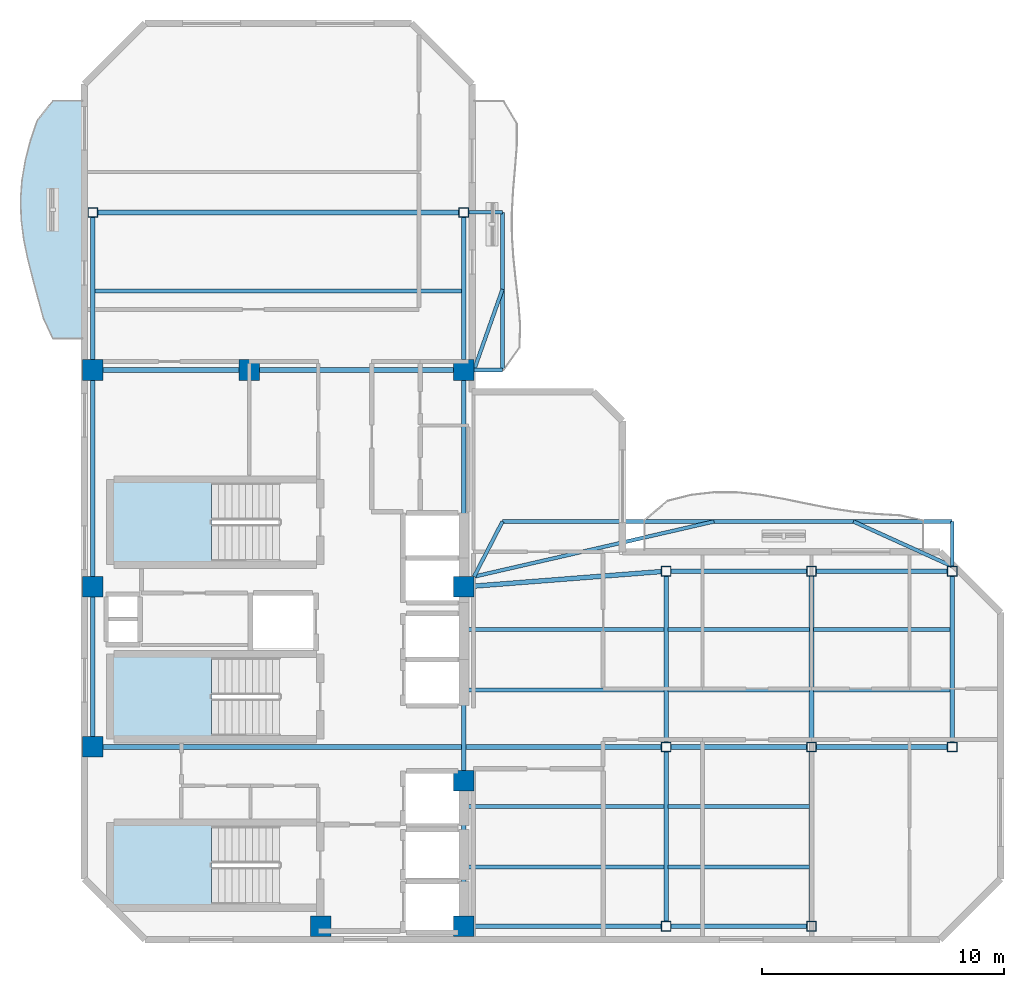
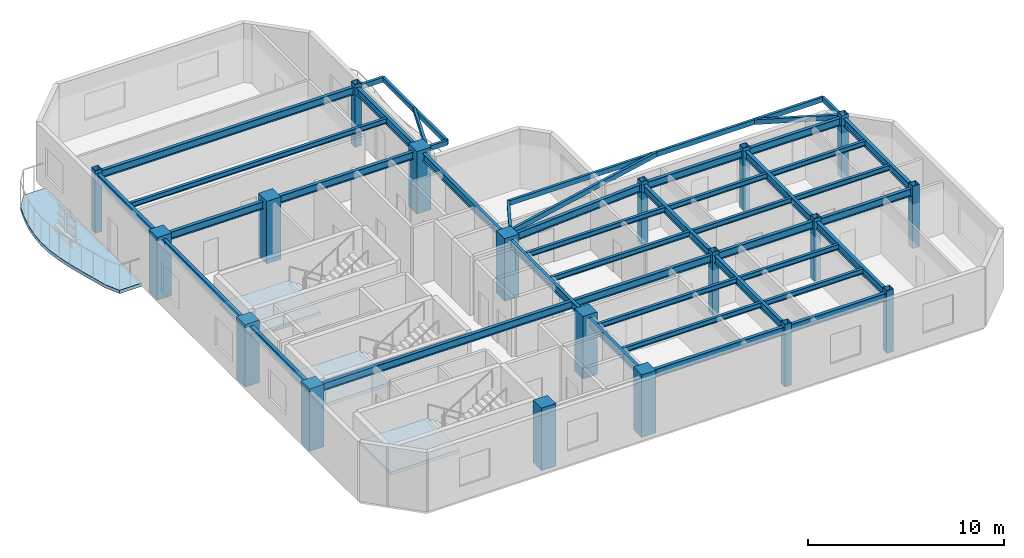
# One storey, part 1 of 8: 43 beams, 19 columns, 4 slabs, 3 elements without a shape of their own.
"""IFC4 building model written with IfcOpenShell, lengths in metres."""

from ifc_helpers import new_model, si_unit, direction, frame, origin, origin_2d, place, context, subcontext, project, spatial, polyline, rectangle, hollow_rectangle, i_section, outline, extrude, material, layer, layer_set, material_profile, profile_set, type_object, element, aggregate, save


model = new_model("IFC4")

# Units and contexts
model_context = context("Model", 3, precision=1e-05, world=origin(), true_north=direction((0.0, 1.0)))
body_context = subcontext(model_context, "Body", "Model", "MODEL_VIEW")
ifc_project = project(units=[si_unit("LENGTHUNIT", "METRE"), si_unit("AREAUNIT", "SQUARE_METRE"), si_unit("VOLUMEUNIT", "CUBIC_METRE"), si_unit("PLANEANGLEUNIT", "RADIAN"), si_unit("MASSUNIT", "GRAM", prefix="KILO")], contexts=[model_context])

# Site, building, storey
site_placement = place(None, origin())
site = spatial("IfcSite", under=ifc_project, at=site_placement, CompositionType="ELEMENT")
building_placement = place(site_placement, origin())
building = spatial("IfcBuilding", under=site, at=building_placement, Name="Mawjaban Terraces University", CompositionType="ELEMENT")
storey_placement = place(building_placement, frame((0.0, 0.0, 271.60009765625)))
storey = spatial("IfcBuildingStorey", under=building, at=storey_placement, Name="L66", CompositionType="ELEMENT", Elevation=271.60009765625)

# Columns
ifc_material_1 = material(Name="Concrete C50/60", Category="concrete")
ifc_material_profile_1 = material_profile(ifc_material_1, rectangle(XDim=0.85009765625, YDim=0.85009765625, at=origin_2d()), Name="RC850X850")
ifc_profile_set_1 = profile_set([ifc_material_profile_1], Name="Concrete C50/60")
column_type_1 = type_object("IfcColumnType", Name="Col_RC850X850", PredefinedType="COLUMN", material=ifc_profile_set_1)
for number, where, z_axis, x_axis, name in (
    (1, (31.75, 0.550048828125, 0.0), (0.0, 0.0, 1.0), (1.0, 0.0, 0.0), "L66 Column CC2"),
    (2, (37.64990234375, 0.550048828125, 0.0), (0.0, 0.0, 1.0), (1.0, 0.0, 0.0), "L66 Column CC3"),
    (3, (22.35009765625, 7.949951171875, 0.0), (0.0, 0.0, 1.0), (1.0, 0.0, 0.0), "L66 Column CC4"),
    (4, (37.64990234375, 6.550048828125, 0.0), (0.0, 0.0, 1.0), (1.0, 0.0, 0.0), "L66 Column CC5"),
    (5, (22.35009765625, 14.550048828125, 0.0), (0.0, 0.0, 1.0), (1.0, 0.0, 0.0), "L66 Column CC6"),
    (6, (37.64990234375, 14.550048828125, 0.0), (0.0, 0.0, 1.0), (1.0, 0.0, 0.0), "L66 Column CC7"),
    (7, (22.35009765625, 23.5, 0.0), (0.0, 0.0, 1.0), (1.0, 0.0, 0.0), "L66 Column CC8"),
    (8, (28.800048828125, 23.5, 0.0), (0.0, 0.0, 1.0), (1.0, 0.0, 0.0), "L66 Column CC9"),
    (9, (37.64990234375, 23.5, 0.0), (0.0, 0.0, 1.0), (1.0, 0.0, 0.0), "L66 Column CC10"),
):
    element("IfcColumn", number, at=place(storey_placement, frame(where, z_axis=z_axis, x_axis=x_axis)), inside=storey, type_object=column_type_1, Name=name, PredefinedType="COLUMN", context=body_context, shape_type="SweptSolid", body=[
        extrude(rectangle(XDim=0.85009765625, YDim=0.85009765625, at=origin_2d()), origin(), (0.0, 0.0, 1.0), 3.89990234375),
    ])
ifc_material_2 = material(Name="Steel EN 10210-1 S355J2H", Category="steel")
ifc_material_profile_2 = material_profile(ifc_material_2, hollow_rectangle(XDim=0.39990234375, YDim=0.39990234375, WallThickness=0.02001953125, at=origin_2d()), Name="SHS400X400X20")
ifc_profile_set_2 = profile_set([ifc_material_profile_2], Name="Steel EN 10210-1 S355J2H")
column_type_2 = type_object("IfcColumnType", Name="Col_SHS400X400X20", PredefinedType="COLUMN", material=ifc_profile_set_2)
for number, where, z_axis, x_axis, name in (
    (10, (46.0, 0.550048828125, 0.0), (0.0, 0.0, 1.0), (1.0, 0.0, 0.0), "L66 Column TE-460-005"),
    (11, (46.0, 7.949951171875, 0.0), (0.0, 0.0, 1.0), (1.0, 0.0, 0.0), "L66 Column TE-460-080"),
    (12, (46.0, 15.199951171875, 0.0), (0.0, 0.0, 1.0), (1.0, 0.0, 0.0), "L66 Column TE-460-152"),
    (13, (52.0, 0.550048828125, 0.0), (0.0, 0.0, 1.0), (1.0, 0.0, 0.0), "L66 Column TE-520-005"),
    (14, (52.0, 7.949951171875, 0.0), (0.0, 0.0, 1.0), (1.0, 0.0, 0.0), "L66 Column TE-520-080"),
    (15, (52.0, 15.199951171875, 0.0), (0.0, 0.0, 1.0), (1.0, 0.0, 0.0), "L66 Column TE-520-152"),
    (16, (57.800048828125, 7.949951171875, 0.0), (0.0, 0.0, 1.0), (1.0, 0.0, 0.0), "L66 Column TE-578-080"),
    (17, (57.800048828125, 15.199951171875, 0.0), (0.0, 0.0, 1.0), (1.0, 0.0, 0.0), "L66 Column TE-578-152"),
    (18, (22.35009765625, 30.0, 0.0), (0.0, 0.0, 1.0), (1.0, 0.0, 0.0), "L66 Column TN-223-300"),
    (19, (37.64990234375, 30.0, 0.0), (0.0, 0.0, 1.0), (1.0, 0.0, 0.0), "L66 Column TN-376-300"),
):
    element("IfcColumn", number, at=place(storey_placement, frame(where, z_axis=z_axis, x_axis=x_axis)), inside=storey, type_object=column_type_2, Name=name, PredefinedType="COLUMN", context=body_context, shape_type="SweptSolid", body=[
        extrude(hollow_rectangle(XDim=0.39990234375, YDim=0.39990234375, WallThickness=0.02001953125, at=origin_2d()), origin(), (0.0, 0.0, 1.0), 3.89990234375),
    ])

# Beams
ifc_material_profile_3 = material_profile(ifc_material_2, hollow_rectangle(XDim=0.14990234375, YDim=0.300048828125, WallThickness=0.012451171875, at=origin_2d()), Name="RHS300X150X12.5")
ifc_profile_set_3 = profile_set([ifc_material_profile_3], Name="Steel EN 10210-1 S355J2H")
beam_type_1 = type_object("IfcBeamType", Name="BalconyCantileverSpandrel_RHS", PredefinedType="SPANDREL", material=ifc_profile_set_3)
beam_1_placement = place(storey_placement, frame((38.074951171875, 14.97509765625, 3.539794921875), z_axis=(0.458922210771, 0.88847645127, 0.0), x_axis=(-0.88847645127, 0.458922210771, 0.0)))
element("IfcBeam", 20, at=beam_1_placement, inside=storey, type_object=beam_type_1, Name="L66 Corner Outrigger BAL-L67-N", PredefinedType="SPANDREL", context=body_context, shape_type="SweptSolid", body=[
    extrude(hollow_rectangle(XDim=0.14990234375, YDim=0.300048828125, WallThickness=0.012451171875, at=origin_2d()), origin(), (0.0, 0.0, 1.0), 2.560546875),
])
beam_2_placement = place(storey_placement, frame((57.800048828125, 15.39990234375, 3.539794921875), z_axis=(0.0, 1.0, 0.0), x_axis=(-1.0, 0.0, 0.0)))
element("IfcBeam", 21, at=beam_2_placement, inside=storey, type_object=beam_type_1, Name="L66 Exterior Outrigger BAL-L67-N.2", PredefinedType="SPANDREL", context=body_context, shape_type="SweptSolid", body=[
    extrude(hollow_rectangle(XDim=0.14990234375, YDim=0.300048828125, WallThickness=0.012451171875, at=origin_2d()), origin(), (0.0, 0.0, 1.0), 1.85009765625),
])
beam_3_placement = place(storey_placement, frame((39.25, 17.25, 3.539794921875), z_axis=(1.0, 0.0, 0.0), x_axis=(0.0, 1.0, 0.0)))
element("IfcBeam", 22, at=beam_3_placement, inside=storey, type_object=beam_type_1, Name="L66 Exterior Edge Spandrel BAL-L67-N", PredefinedType="SPANDREL", context=body_context, shape_type="SweptSolid", body=[
    extrude(hollow_rectangle(XDim=0.14990234375, YDim=0.300048828125, WallThickness=0.012451171875, at=origin_2d()), origin(), (0.0, 0.0, 1.0), 18.550048828125),
])
beam_4_placement = place(storey_placement, frame((38.074951171875, 14.97509765625, 3.539794921875), z_axis=(0.974600999447, 0.223948413426, 0.0), x_axis=(-0.223948413426, 0.974600999447, 0.0)))
element("IfcBeam", 23, at=beam_4_placement, inside=storey, type_object=beam_type_1, Name="L66 Exterior Diagonal Strut BAL-L67-N.1", PredefinedType="SPANDREL", context=body_context, shape_type="SweptSolid", body=[
    extrude(hollow_rectangle(XDim=0.14990234375, YDim=0.300048828125, WallThickness=0.012451171875, at=origin_2d()), origin(), (0.0, 0.0, 1.0), 10.158203125),
])
beam_5_placement = place(storey_placement, frame((57.800048828125, 15.39990234375, 3.539794921875), z_axis=(-0.910547611438, 0.413404217811, 0.0), x_axis=(-0.413404217811, -0.910547611438, 0.0)))
element("IfcBeam", 24, at=beam_5_placement, inside=storey, type_object=beam_type_1, Name="L66 Exterior Diagonal Strut BAL-L67-N.2", PredefinedType="SPANDREL", context=body_context, shape_type="SweptSolid", body=[
    extrude(hollow_rectangle(XDim=0.14990234375, YDim=0.300048828125, WallThickness=0.012451171875, at=origin_2d()), origin(), (0.0, 0.0, 1.0), 4.475341796875),
])
beam_6_placement = place(storey_placement, frame((38.074951171875, 23.5, 3.539794921875), z_axis=(1.0, 0.0, 0.0), x_axis=(0.0, 1.0, 0.0)))
element("IfcBeam", 25, at=beam_6_placement, inside=storey, type_object=beam_type_1, Name="L66 Exterior Outrigger BAL-L67-E.1", PredefinedType="SPANDREL", context=body_context, shape_type="SweptSolid", body=[
    extrude(hollow_rectangle(XDim=0.14990234375, YDim=0.300048828125, WallThickness=0.012451171875, at=origin_2d()), origin(), (0.0, 0.0, 1.0), 1.175048828125),
])
beam_7_placement = place(storey_placement, frame((37.85009765625, 30.0, 3.539794921875), z_axis=(1.0, 0.0, 0.0), x_axis=(0.0, 1.0, 0.0)))
element("IfcBeam", 26, at=beam_7_placement, inside=storey, type_object=beam_type_1, Name="L66 Exterior Outrigger BAL-L67-E.2", PredefinedType="SPANDREL", context=body_context, shape_type="SweptSolid", body=[
    extrude(hollow_rectangle(XDim=0.14990234375, YDim=0.300048828125, WallThickness=0.012451171875, at=origin_2d()), origin(), (0.0, 0.0, 1.0), 1.39990234375),
])
beam_8_placement = place(storey_placement, frame((39.25, 23.5, 3.539794921875), z_axis=(0.0, 1.0, 0.0), x_axis=(-1.0, 0.0, 0.0)))
element("IfcBeam", 27, at=beam_8_placement, inside=storey, type_object=beam_type_1, Name="L66 Exterior Edge Spandrel BAL-L67-E", PredefinedType="SPANDREL", context=body_context, shape_type="SweptSolid", body=[
    extrude(hollow_rectangle(XDim=0.14990234375, YDim=0.300048828125, WallThickness=0.012451171875, at=origin_2d()), origin(), (0.0, 0.0, 1.0), 6.5),
])
beam_9_placement = place(storey_placement, frame((38.074951171875, 23.5, 3.539794921875), z_axis=(0.332751406337, 0.943014581849, 0.0), x_axis=(-0.943014581849, 0.332751406337, 0.0)))
element("IfcBeam", 28, at=beam_9_placement, inside=storey, type_object=beam_type_1, Name="L66 Exterior Diagonal Strut BAL-L67-E.1", PredefinedType="SPANDREL", context=body_context, shape_type="SweptSolid", body=[
    extrude(hollow_rectangle(XDim=0.14990234375, YDim=0.300048828125, WallThickness=0.012451171875, at=origin_2d()), origin(), (0.0, 0.0, 1.0), 3.53125),
])
ifc_material_3 = material(Name="Steel ASTM A572 Grade 50", Category="steel")
ifc_material_profile_4 = material_profile(ifc_material_3, i_section(OverallWidth=0.194091796875, OverallDepth=0.468994140625, WebThickness=0.011474609375, FlangeThickness=0.0205078125, at=origin_2d()), Name="W460X106")
ifc_profile_set_4 = profile_set([ifc_material_profile_4], Name="Steel ASTM A572 Grade 50")
beam_type_2 = type_object("IfcBeamType", Name="Beam_B_W460X106", PredefinedType="BEAM", material=ifc_profile_set_4)
beam_10_placement = place(storey_placement, frame((38.074951171875, 0.550048828125, 3.454833984375), z_axis=(1.0, 0.0, 0.0), x_axis=(0.0, 1.0, 0.0)))
element("IfcBeam", 29, at=beam_10_placement, inside=storey, type_object=beam_type_2, Name="L66 Beam BM-L66-EW-01", PredefinedType="BEAM", context=body_context, shape_type="SweptSolid", body=[
    extrude(i_section(OverallWidth=0.194091796875, OverallDepth=0.468994140625, WebThickness=0.011474609375, FlangeThickness=0.0205078125, at=origin_2d()), origin(), (0.0, 0.0, 1.0), 7.72509765625),
])
beam_11_placement = place(storey_placement, frame((46.199951171875, 0.550048828125, 3.454833984375), z_axis=(1.0, 0.0, 0.0), x_axis=(0.0, 1.0, 0.0)))
element("IfcBeam", 30, at=beam_11_placement, inside=storey, type_object=beam_type_2, Name="L66 Beam BM-L66-EW-02", PredefinedType="BEAM", context=body_context, shape_type="SweptSolid", body=[
    extrude(i_section(OverallWidth=0.194091796875, OverallDepth=0.468994140625, WebThickness=0.011474609375, FlangeThickness=0.0205078125, at=origin_2d()), origin(), (0.0, 0.0, 1.0), 5.60009765625),
])
beam_12_placement = place(storey_placement, frame((22.77490234375, 7.949951171875, 3.454833984375), z_axis=(1.0, 0.0, 0.0), x_axis=(0.0, 1.0, 0.0)))
element("IfcBeam", 31, at=beam_12_placement, inside=storey, type_object=beam_type_2, Name="L66 Beam BM-L66-EW-03", PredefinedType="BEAM", context=body_context, shape_type="SweptSolid", body=[
    extrude(i_section(OverallWidth=0.194091796875, OverallDepth=0.468994140625, WebThickness=0.011474609375, FlangeThickness=0.0205078125, at=origin_2d()), origin(), (0.0, 0.0, 1.0), 23.025146484375),
])
beam_13_placement = place(storey_placement, frame((46.199951171875, 7.949951171875, 3.454833984375), z_axis=(1.0, 0.0, 0.0), x_axis=(0.0, 1.0, 0.0)))
element("IfcBeam", 32, at=beam_13_placement, inside=storey, type_object=beam_type_2, Name="L66 Beam BM-L66-EW-04", PredefinedType="BEAM", context=body_context, shape_type="SweptSolid", body=[
    extrude(i_section(OverallWidth=0.194091796875, OverallDepth=0.468994140625, WebThickness=0.011474609375, FlangeThickness=0.0205078125, at=origin_2d()), origin(), (0.0, 0.0, 1.0), 5.60009765625),
])
beam_14_placement = place(storey_placement, frame((52.199951171875, 7.949951171875, 3.454833984375), z_axis=(1.0, 0.0, 0.0), x_axis=(0.0, 1.0, 0.0)))
element("IfcBeam", 33, at=beam_14_placement, inside=storey, type_object=beam_type_2, Name="L66 Beam BM-L66-EW-05", PredefinedType="BEAM", context=body_context, shape_type="SweptSolid", body=[
    extrude(i_section(OverallWidth=0.194091796875, OverallDepth=0.468994140625, WebThickness=0.011474609375, FlangeThickness=0.0205078125, at=origin_2d()), origin(), (0.0, 0.0, 1.0), 5.400146484375),
])
beam_15_placement = place(storey_placement, frame((46.199951171875, 15.199951171875, 3.454833984375), z_axis=(1.0, 0.0, 0.0), x_axis=(0.0, 1.0, 0.0)))
element("IfcBeam", 34, at=beam_15_placement, inside=storey, type_object=beam_type_2, Name="L66 Beam BM-L66-EW-06", PredefinedType="BEAM", context=body_context, shape_type="SweptSolid", body=[
    extrude(i_section(OverallWidth=0.194091796875, OverallDepth=0.468994140625, WebThickness=0.011474609375, FlangeThickness=0.0205078125, at=origin_2d()), origin(), (0.0, 0.0, 1.0), 5.60009765625),
])
beam_16_placement = place(storey_placement, frame((52.199951171875, 15.199951171875, 3.454833984375), z_axis=(1.0, 0.0, 0.0), x_axis=(0.0, 1.0, 0.0)))
element("IfcBeam", 35, at=beam_16_placement, inside=storey, type_object=beam_type_2, Name="L66 Beam BM-L66-EW-07", PredefinedType="BEAM", context=body_context, shape_type="SweptSolid", body=[
    extrude(i_section(OverallWidth=0.194091796875, OverallDepth=0.468994140625, WebThickness=0.011474609375, FlangeThickness=0.0205078125, at=origin_2d()), origin(), (0.0, 0.0, 1.0), 5.400146484375),
])
beam_17_placement = place(storey_placement, frame((22.77490234375, 23.5, 3.454833984375), z_axis=(1.0, 0.0, 0.0), x_axis=(0.0, 1.0, 0.0)))
element("IfcBeam", 36, at=beam_17_placement, inside=storey, type_object=beam_type_2, Name="L66 Beam BM-L66-EW-08", PredefinedType="BEAM", context=body_context, shape_type="SweptSolid", body=[
    extrude(i_section(OverallWidth=0.194091796875, OverallDepth=0.468994140625, WebThickness=0.011474609375, FlangeThickness=0.0205078125, at=origin_2d()), origin(), (0.0, 0.0, 1.0), 5.60009765625),
])
beam_18_placement = place(storey_placement, frame((29.22509765625, 23.5, 3.454833984375), z_axis=(1.0, 0.0, 0.0), x_axis=(0.0, 1.0, 0.0)))
element("IfcBeam", 37, at=beam_18_placement, inside=storey, type_object=beam_type_2, Name="L66 Beam BM-L66-EW-09", PredefinedType="BEAM", context=body_context, shape_type="SweptSolid", body=[
    extrude(i_section(OverallWidth=0.194091796875, OverallDepth=0.468994140625, WebThickness=0.011474609375, FlangeThickness=0.0205078125, at=origin_2d()), origin(), (0.0, 0.0, 1.0), 8.0),
])
beam_19_placement = place(storey_placement, frame((22.550048828125, 30.0, 3.454833984375), z_axis=(1.0, 0.0, 0.0), x_axis=(0.0, 1.0, 0.0)))
element("IfcBeam", 38, at=beam_19_placement, inside=storey, type_object=beam_type_2, Name="L66 Beam BM-L66-EW-10", PredefinedType="BEAM", context=body_context, shape_type="SweptSolid", body=[
    extrude(i_section(OverallWidth=0.194091796875, OverallDepth=0.468994140625, WebThickness=0.011474609375, FlangeThickness=0.0205078125, at=origin_2d()), origin(), (0.0, 0.0, 1.0), 14.89990234375),
])
beam_20_placement = place(storey_placement, frame((22.35009765625, 8.375, 3.454833984375), z_axis=(0.0, 1.0, 0.0), x_axis=(-1.0, 0.0, 0.0)))
element("IfcBeam", 39, at=beam_20_placement, inside=storey, type_object=beam_type_2, Name="L66 Beam BM-L66-NS-01", PredefinedType="BEAM", context=body_context, shape_type="SweptSolid", body=[
    extrude(i_section(OverallWidth=0.194091796875, OverallDepth=0.468994140625, WebThickness=0.011474609375, FlangeThickness=0.0205078125, at=origin_2d()), origin(), (0.0, 0.0, 1.0), 5.75),
])
beam_21_placement = place(storey_placement, frame((22.35009765625, 14.97509765625, 3.454833984375), z_axis=(0.0, 1.0, 0.0), x_axis=(-1.0, 0.0, 0.0)))
element("IfcBeam", 40, at=beam_21_placement, inside=storey, type_object=beam_type_2, Name="L66 Beam BM-L66-NS-02", PredefinedType="BEAM", context=body_context, shape_type="SweptSolid", body=[
    extrude(i_section(OverallWidth=0.194091796875, OverallDepth=0.468994140625, WebThickness=0.011474609375, FlangeThickness=0.0205078125, at=origin_2d()), origin(), (0.0, 0.0, 1.0), 8.099853515625),
])
beam_22_placement = place(storey_placement, frame((22.35009765625, 23.925048828125, 3.454833984375), z_axis=(0.0, 1.0, 0.0), x_axis=(-1.0, 0.0, 0.0)))
element("IfcBeam", 41, at=beam_22_placement, inside=storey, type_object=beam_type_2, Name="L66 Beam BM-L66-NS-03", PredefinedType="BEAM", context=body_context, shape_type="SweptSolid", body=[
    extrude(i_section(OverallWidth=0.194091796875, OverallDepth=0.468994140625, WebThickness=0.011474609375, FlangeThickness=0.0205078125, at=origin_2d()), origin(), (0.0, 0.0, 1.0), 5.875),
])
beam_23_placement = place(storey_placement, frame((37.64990234375, 0.97509765625, 3.454833984375), z_axis=(0.0, 1.0, 0.0), x_axis=(-1.0, 0.0, 0.0)))
element("IfcBeam", 42, at=beam_23_placement, inside=storey, type_object=beam_type_2, Name="L66 Beam BM-L66-NS-04", PredefinedType="BEAM", context=body_context, shape_type="SweptSolid", body=[
    extrude(i_section(OverallWidth=0.194091796875, OverallDepth=0.468994140625, WebThickness=0.011474609375, FlangeThickness=0.0205078125, at=origin_2d()), origin(), (0.0, 0.0, 1.0), 5.14990234375),
])
beam_24_placement = place(storey_placement, frame((37.64990234375, 6.97509765625, 3.454833984375), z_axis=(0.0, 1.0, 0.0), x_axis=(-1.0, 0.0, 0.0)))
element("IfcBeam", 43, at=beam_24_placement, inside=storey, type_object=beam_type_2, Name="L66 Beam BM-L66-NS-05", PredefinedType="BEAM", context=body_context, shape_type="SweptSolid", body=[
    extrude(i_section(OverallWidth=0.194091796875, OverallDepth=0.468994140625, WebThickness=0.011474609375, FlangeThickness=0.0205078125, at=origin_2d()), origin(), (0.0, 0.0, 1.0), 7.14990234375),
])
beam_25_placement = place(storey_placement, frame((37.64990234375, 14.97509765625, 3.454833984375), z_axis=(0.0, 1.0, 0.0), x_axis=(-1.0, 0.0, 0.0)))
element("IfcBeam", 44, at=beam_25_placement, inside=storey, type_object=beam_type_2, Name="L66 Beam BM-L66-NS-06", PredefinedType="BEAM", context=body_context, shape_type="SweptSolid", body=[
    extrude(i_section(OverallWidth=0.194091796875, OverallDepth=0.468994140625, WebThickness=0.011474609375, FlangeThickness=0.0205078125, at=origin_2d()), origin(), (0.0, 0.0, 1.0), 8.099853515625),
])
beam_26_placement = place(storey_placement, frame((37.64990234375, 23.925048828125, 3.454833984375), z_axis=(0.0, 1.0, 0.0), x_axis=(-1.0, 0.0, 0.0)))
element("IfcBeam", 45, at=beam_26_placement, inside=storey, type_object=beam_type_2, Name="L66 Beam BM-L66-NS-07", PredefinedType="BEAM", context=body_context, shape_type="SweptSolid", body=[
    extrude(i_section(OverallWidth=0.194091796875, OverallDepth=0.468994140625, WebThickness=0.011474609375, FlangeThickness=0.0205078125, at=origin_2d()), origin(), (0.0, 0.0, 1.0), 5.875),
])
beam_27_placement = place(storey_placement, frame((46.0, 0.75, 3.454833984375), z_axis=(0.0, 1.0, 0.0), x_axis=(-1.0, 0.0, 0.0)))
element("IfcBeam", 46, at=beam_27_placement, inside=storey, type_object=beam_type_2, Name="L66 Beam BM-L66-NS-08", PredefinedType="BEAM", context=body_context, shape_type="SweptSolid", body=[
    extrude(i_section(OverallWidth=0.194091796875, OverallDepth=0.468994140625, WebThickness=0.011474609375, FlangeThickness=0.0205078125, at=origin_2d()), origin(), (0.0, 0.0, 1.0), 7.0),
])
beam_28_placement = place(storey_placement, frame((46.0, 8.14990234375, 3.454833984375), z_axis=(0.0, 1.0, 0.0), x_axis=(-1.0, 0.0, 0.0)))
element("IfcBeam", 47, at=beam_28_placement, inside=storey, type_object=beam_type_2, Name="L66 Beam BM-L66-NS-09", PredefinedType="BEAM", context=body_context, shape_type="SweptSolid", body=[
    extrude(i_section(OverallWidth=0.194091796875, OverallDepth=0.468994140625, WebThickness=0.011474609375, FlangeThickness=0.0205078125, at=origin_2d()), origin(), (0.0, 0.0, 1.0), 6.85009765625),
])
beam_29_placement = place(storey_placement, frame((52.0, 0.75, 3.454833984375), z_axis=(0.0, 1.0, 0.0), x_axis=(-1.0, 0.0, 0.0)))
element("IfcBeam", 48, at=beam_29_placement, inside=storey, type_object=beam_type_2, Name="L66 Beam BM-L66-NS-10", PredefinedType="BEAM", context=body_context, shape_type="SweptSolid", body=[
    extrude(i_section(OverallWidth=0.194091796875, OverallDepth=0.468994140625, WebThickness=0.011474609375, FlangeThickness=0.0205078125, at=origin_2d()), origin(), (0.0, 0.0, 1.0), 7.0),
])
for number, where, z_axis, x_axis, name in (
    (49, (52.0, 8.14990234375, 3.454833984375), (0.0, 1.0, 0.0), (-1.0, 0.0, 0.0), "L66 Beam BM-L66-NS-11"),
    (50, (57.800048828125, 8.14990234375, 3.454833984375), (0.0, 1.0, 0.0), (-1.0, 0.0, 0.0), "L66 Beam BM-L66-NS-12"),
):
    element("IfcBeam", number, at=place(storey_placement, frame(where, z_axis=z_axis, x_axis=x_axis)), inside=storey, type_object=beam_type_2, Name=name, PredefinedType="BEAM", context=body_context, shape_type="SweptSolid", body=[
        extrude(i_section(OverallWidth=0.194091796875, OverallDepth=0.468994140625, WebThickness=0.011474609375, FlangeThickness=0.0205078125, at=origin_2d()), origin(), (0.0, 0.0, 1.0), 6.85009765625),
    ])
beam_30_placement = place(storey_placement, frame((38.073974609375, 14.5830078125, 3.454833984375), z_axis=(0.996988151141, 0.077554023005, 0.0), x_axis=(-0.077554023005, 0.996988151141, 0.0)))
element("IfcBeam", 51, at=beam_30_placement, inside=storey, type_object=beam_type_2, Name="L66 Beam BM-L66-CTIE", PredefinedType="BEAM", context=body_context, shape_type="SweptSolid", body=[
    extrude(i_section(OverallWidth=0.194091796875, OverallDepth=0.468994140625, WebThickness=0.011474609375, FlangeThickness=0.0205078125, at=origin_2d()), origin(), (0.0, 0.0, 1.0), 7.75048828125),
])
ifc_material_profile_5 = material_profile(ifc_material_3, i_section(OverallWidth=0.1669921875, OverallDepth=0.318115234375, WebThickness=0.007568359375, FlangeThickness=0.01318359375, at=origin_2d()), Name="W310X52")
ifc_profile_set_5 = profile_set([ifc_material_profile_5], Name="Steel ASTM A572 Grade 50")
beam_type_3 = type_object("IfcBeamType", Name="Beam_J_W310X52", PredefinedType="JOIST", material=ifc_profile_set_5)
beam_31_placement = place(storey_placement, frame((37.72998046875, 3.0, 3.531005859375), z_axis=(1.0, 0.0, 0.0), x_axis=(0.0, 1.0, 0.0)))
element("IfcBeam", 52, at=beam_31_placement, inside=storey, type_object=beam_type_3, Name="L66 Composite Joist JST-L66-01", PredefinedType="JOIST", context=body_context, shape_type="SweptSolid", body=[
    extrude(i_section(OverallWidth=0.1669921875, OverallDepth=0.318115234375, WebThickness=0.007568359375, FlangeThickness=0.01318359375, at=origin_2d()), origin(), (0.0, 0.0, 1.0), 8.18994140625),
])
beam_32_placement = place(storey_placement, frame((46.080078125, 3.0, 3.531005859375), z_axis=(1.0, 0.0, 0.0), x_axis=(0.0, 1.0, 0.0)))
element("IfcBeam", 53, at=beam_32_placement, inside=storey, type_object=beam_type_3, Name="L66 Composite Joist JST-L66-02", PredefinedType="JOIST", context=body_context, shape_type="SweptSolid", body=[
    extrude(i_section(OverallWidth=0.1669921875, OverallDepth=0.318115234375, WebThickness=0.007568359375, FlangeThickness=0.01318359375, at=origin_2d()), origin(), (0.0, 0.0, 1.0), 5.83984375),
])
beam_33_placement = place(storey_placement, frame((37.72998046875, 5.5, 3.531005859375), z_axis=(1.0, 0.0, 0.0), x_axis=(0.0, 1.0, 0.0)))
element("IfcBeam", 54, at=beam_33_placement, inside=storey, type_object=beam_type_3, Name="L66 Composite Joist JST-L66-03", PredefinedType="JOIST", context=body_context, shape_type="SweptSolid", body=[
    extrude(i_section(OverallWidth=0.1669921875, OverallDepth=0.318115234375, WebThickness=0.007568359375, FlangeThickness=0.01318359375, at=origin_2d()), origin(), (0.0, 0.0, 1.0), 8.18994140625),
])
beam_34_placement = place(storey_placement, frame((46.080078125, 5.5, 3.531005859375), z_axis=(1.0, 0.0, 0.0), x_axis=(0.0, 1.0, 0.0)))
element("IfcBeam", 55, at=beam_34_placement, inside=storey, type_object=beam_type_3, Name="L66 Composite Joist JST-L66-04", PredefinedType="JOIST", context=body_context, shape_type="SweptSolid", body=[
    extrude(i_section(OverallWidth=0.1669921875, OverallDepth=0.318115234375, WebThickness=0.007568359375, FlangeThickness=0.01318359375, at=origin_2d()), origin(), (0.0, 0.0, 1.0), 5.83984375),
])
beam_35_placement = place(storey_placement, frame((37.72998046875, 10.300048828125, 3.531005859375), z_axis=(1.0, 0.0, 0.0), x_axis=(0.0, 1.0, 0.0)))
element("IfcBeam", 56, at=beam_35_placement, inside=storey, type_object=beam_type_3, Name="L66 Composite Joist JST-L66-05", PredefinedType="JOIST", context=body_context, shape_type="SweptSolid", body=[
    extrude(i_section(OverallWidth=0.1669921875, OverallDepth=0.318115234375, WebThickness=0.007568359375, FlangeThickness=0.01318359375, at=origin_2d()), origin(), (0.0, 0.0, 1.0), 8.18994140625),
])
beam_36_placement = place(storey_placement, frame((46.080078125, 10.300048828125, 3.531005859375), z_axis=(1.0, 0.0, 0.0), x_axis=(0.0, 1.0, 0.0)))
element("IfcBeam", 57, at=beam_36_placement, inside=storey, type_object=beam_type_3, Name="L66 Composite Joist JST-L66-06", PredefinedType="JOIST", context=body_context, shape_type="SweptSolid", body=[
    extrude(i_section(OverallWidth=0.1669921875, OverallDepth=0.318115234375, WebThickness=0.007568359375, FlangeThickness=0.01318359375, at=origin_2d()), origin(), (0.0, 0.0, 1.0), 5.83984375),
])
beam_37_placement = place(storey_placement, frame((52.080078125, 10.300048828125, 3.531005859375), z_axis=(1.0, 0.0, 0.0), x_axis=(0.0, 1.0, 0.0)))
element("IfcBeam", 58, at=beam_37_placement, inside=storey, type_object=beam_type_3, Name="L66 Composite Joist JST-L66-07", PredefinedType="JOIST", context=body_context, shape_type="SweptSolid", body=[
    extrude(i_section(OverallWidth=0.1669921875, OverallDepth=0.318115234375, WebThickness=0.007568359375, FlangeThickness=0.01318359375, at=origin_2d()), origin(), (0.0, 0.0, 1.0), 5.639892578125),
])
beam_38_placement = place(storey_placement, frame((37.72998046875, 12.800048828125, 3.531005859375), z_axis=(1.0, 0.0, 0.0), x_axis=(0.0, 1.0, 0.0)))
element("IfcBeam", 59, at=beam_38_placement, inside=storey, type_object=beam_type_3, Name="L66 Composite Joist JST-L66-08", PredefinedType="JOIST", context=body_context, shape_type="SweptSolid", body=[
    extrude(i_section(OverallWidth=0.1669921875, OverallDepth=0.318115234375, WebThickness=0.007568359375, FlangeThickness=0.01318359375, at=origin_2d()), origin(), (0.0, 0.0, 1.0), 8.18994140625),
])
beam_39_placement = place(storey_placement, frame((46.080078125, 12.800048828125, 3.531005859375), z_axis=(1.0, 0.0, 0.0), x_axis=(0.0, 1.0, 0.0)))
element("IfcBeam", 60, at=beam_39_placement, inside=storey, type_object=beam_type_3, Name="L66 Composite Joist JST-L66-09", PredefinedType="JOIST", context=body_context, shape_type="SweptSolid", body=[
    extrude(i_section(OverallWidth=0.1669921875, OverallDepth=0.318115234375, WebThickness=0.007568359375, FlangeThickness=0.01318359375, at=origin_2d()), origin(), (0.0, 0.0, 1.0), 5.83984375),
])
beam_40_placement = place(storey_placement, frame((52.080078125, 12.800048828125, 3.531005859375), z_axis=(1.0, 0.0, 0.0), x_axis=(0.0, 1.0, 0.0)))
element("IfcBeam", 61, at=beam_40_placement, inside=storey, type_object=beam_type_3, Name="L66 Composite Joist JST-L66-10", PredefinedType="JOIST", context=body_context, shape_type="SweptSolid", body=[
    extrude(i_section(OverallWidth=0.1669921875, OverallDepth=0.318115234375, WebThickness=0.007568359375, FlangeThickness=0.01318359375, at=origin_2d()), origin(), (0.0, 0.0, 1.0), 5.639892578125),
])
beam_41_placement = place(storey_placement, frame((22.429931640625, 26.75, 3.531005859375), z_axis=(1.0, 0.0, 0.0), x_axis=(0.0, 1.0, 0.0)))
element("IfcBeam", 62, at=beam_41_placement, inside=storey, type_object=beam_type_3, Name="L66 Composite Joist JST-L66-11", PredefinedType="JOIST", context=body_context, shape_type="SweptSolid", body=[
    extrude(i_section(OverallWidth=0.1669921875, OverallDepth=0.318115234375, WebThickness=0.007568359375, FlangeThickness=0.01318359375, at=origin_2d()), origin(), (0.0, 0.0, 1.0), 15.14013671875),
])

# Slab
ifc_material_4 = material(Name="Concrete C40/50", Category="concrete")
ifc_layer_1 = layer(ifc_material_4, 0.2099609375)
ifc_layer_set_1 = layer_set([ifc_layer_1], Name="Concrete C40/50")
slab_type_1 = type_object("IfcSlabType", Name="BalconySlab_210_Ext", PredefinedType="FLOOR", material=ifc_layer_set_1)
slab_1_placement = place(storey_placement, frame((0.0, 0.0, -0.210205078125)))
element("IfcSlab", 63, at=slab_1_placement, inside=storey, type_object=slab_type_1, Name="L66 Planted Balcony Slab west", PredefinedType="FLOOR", context=body_context, shape_type="SweptSolid", body=[
    extrude(outline(polyline([(22.010009765625, 24.800048828125), (22.010009765625, 34.60009765625), (20.699951171875, 34.60009765625), (20.052001953125, 33.782958984375), (19.77587890625, 32.967041015625), (19.56591796875, 32.14990234375), (19.427001953125, 31.3330078125), (19.368896484375, 30.51708984375), (19.39697265625, 29.699951171875), (19.5009765625, 28.883056640625), (19.66796875, 28.06689453125), (19.8740234375, 27.25), (20.094970703125, 26.43310546875), (20.31591796875, 25.616943359375), (20.699951171875, 24.800048828125), (22.010009765625, 24.800048828125)])), origin(), (0.0, 0.0, 1.0), 0.210205078125),
])

# Stair, slab
stair_type = type_object("IfcStairType", Name="Stair_Core1550_H39", PredefinedType="HALF_TURN_STAIR", material=ifc_material_4)
stair_1_placement = place(storey_placement, origin())
stair_1 = element("IfcStair", 64, at=stair_1_placement, inside=storey, type_object=stair_type, Name="L66 Core Exit Stair 1", PredefinedType="HALF_TURN_STAIR")
ifc_layer_2 = layer(ifc_material_4, 0.199951171875)
ifc_layer_set_2 = layer_set([ifc_layer_2], Name="Concrete C40/50")
slab_type_2 = type_object("IfcSlabType", Name="StairLandingSlab_200", PredefinedType="LANDING", material=ifc_layer_set_2)
slab_2_placement = place(storey_placement, frame((0.0, 0.0, 1.75)))
slab_2 = element("IfcSlab", 65, at=slab_2_placement, type_object=slab_type_2, Name="ST-1 landing 1", PredefinedType="LANDING", context=body_context, shape_type="SweptSolid", body=[
    extrude(outline(polyline([(27.25, 4.699951171875), (23.199951171875, 4.699951171875), (23.199951171875, 1.449951171875), (27.25, 1.449951171875), (27.25, 4.699951171875)])), origin(), (0.0, 0.0, 1.0), 0.199951171875),
])
aggregate(stair_1, [slab_2])

stair_2_placement = place(storey_placement, origin())
stair_2 = element("IfcStair", 66, at=stair_2_placement, inside=storey, type_object=stair_type, Name="L66 Core Exit Stair 2", PredefinedType="HALF_TURN_STAIR")
slab_3_placement = place(storey_placement, frame((0.0, 0.0, 1.75)))
slab_3 = element("IfcSlab", 67, at=slab_3_placement, type_object=slab_type_2, Name="ST-2 landing 1", PredefinedType="LANDING", context=body_context, shape_type="SweptSolid", body=[
    extrude(outline(polyline([(27.25, 18.85009765625), (23.199951171875, 18.85009765625), (23.199951171875, 15.60009765625), (27.25, 15.60009765625), (27.25, 18.85009765625)])), origin(), (0.0, 0.0, 1.0), 0.199951171875),
])
aggregate(stair_2, [slab_3])

stair_3_placement = place(storey_placement, origin())
stair_3 = element("IfcStair", 68, at=stair_3_placement, inside=storey, type_object=stair_type, Name="L66 Core Exit Stair 3", PredefinedType="HALF_TURN_STAIR")
slab_4_placement = place(storey_placement, frame((0.0, 0.0, 1.75)))
slab_4 = element("IfcSlab", 69, at=slab_4_placement, type_object=slab_type_2, Name="ST-3 landing 1", PredefinedType="LANDING", context=body_context, shape_type="SweptSolid", body=[
    extrude(outline(polyline([(27.25, 11.64990234375), (23.199951171875, 11.64990234375), (23.199951171875, 8.39990234375), (27.25, 8.39990234375), (27.25, 11.64990234375)])), origin(), (0.0, 0.0, 1.0), 0.199951171875),
])
aggregate(stair_3, [slab_4])

save(model, "model.ifc")
